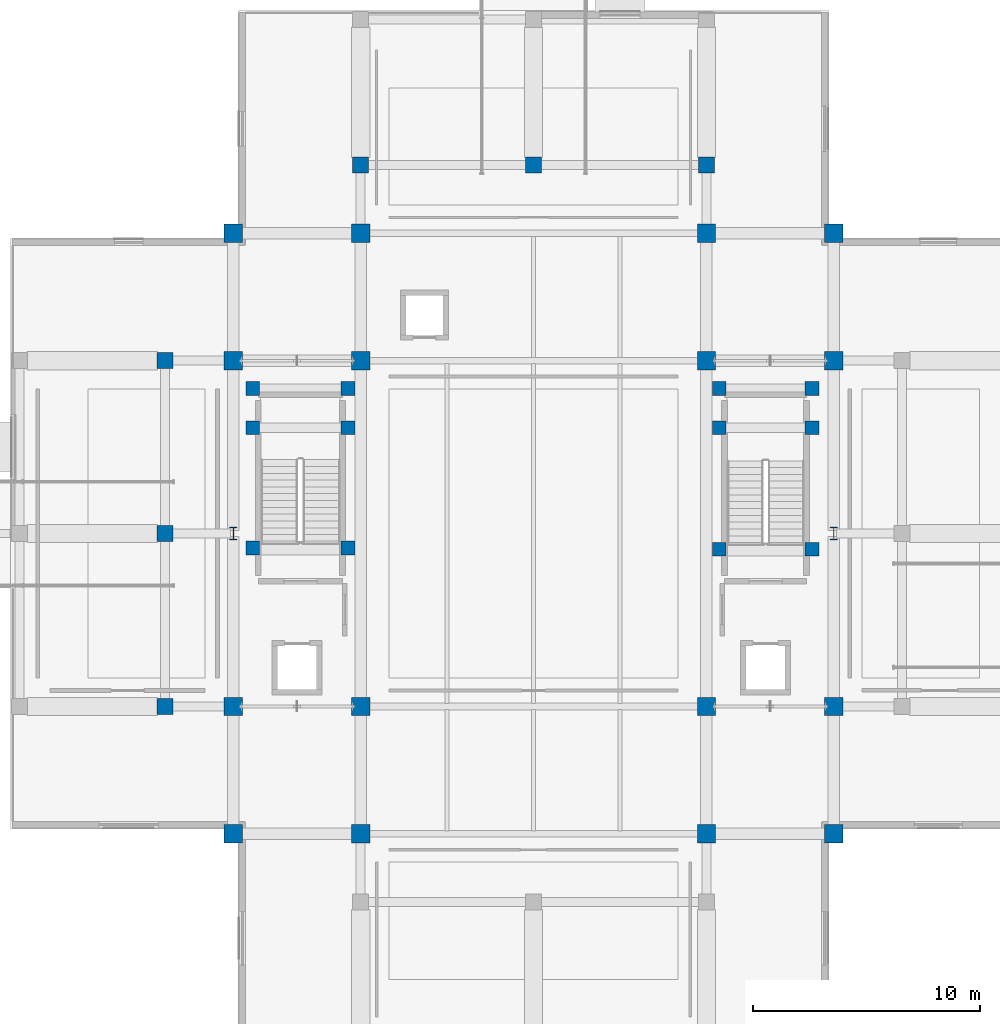
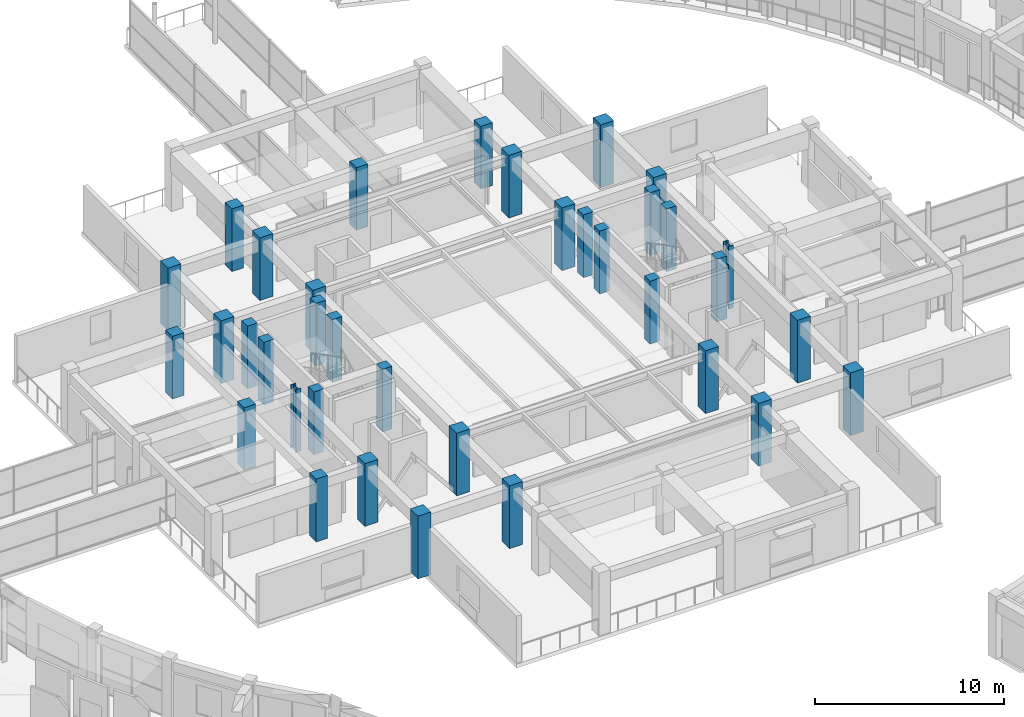
# One storey, part 4 of 70: 36 columns.
"""IFC4 building model written with IfcOpenShell, lengths in metres."""

from ifc_helpers import new_model, si_unit, direction, frame, origin, origin_2d, place, context, subcontext, project, spatial, rectangle, i_section, extrude, material, material_profile, profile_set, type_object, element, save


model = new_model("IFC4")

# Units and contexts
model_context = context("Model", 3, precision=1e-05, world=origin(), true_north=direction((0.0, 1.0)))
body_context = subcontext(model_context, "Body", "Model", "MODEL_VIEW")
ifc_project = project(units=[si_unit("LENGTHUNIT", "METRE"), si_unit("AREAUNIT", "SQUARE_METRE"), si_unit("VOLUMEUNIT", "CUBIC_METRE"), si_unit("PLANEANGLEUNIT", "RADIAN"), si_unit("MASSUNIT", "GRAM", prefix="KILO")], contexts=[model_context])

# Site, building, storey
site_placement = place(None, origin())
site = spatial("IfcSite", under=ifc_project, at=site_placement, CompositionType="ELEMENT")
building_placement = place(site_placement, origin())
building = spatial("IfcBuilding", under=site, at=building_placement, Name="Saryqyr Civic Hall", CompositionType="ELEMENT")
storey_placement = place(building_placement, frame((0.0, 0.0, 13.199951171875)))
storey = spatial("IfcBuildingStorey", under=building, at=storey_placement, Name="L03", CompositionType="ELEMENT", Elevation=13.199951171875)

# Columns
ifc_material_1 = material(Name="Steel S355", Category="steel")
ifc_material_profile_1 = material_profile(ifc_material_1, i_section(OverallWidth=0.300048828125, OverallDepth=0.550048828125, WebThickness=0.014892578125, FlangeThickness=0.029052734375, at=origin_2d()), Name="HEB 550")
ifc_profile_set_1 = profile_set([ifc_material_profile_1], Name="Steel S355")
column_type_1 = type_object("IfcColumnType", Name="STR-COL-HEB550-S355", PredefinedType="COLUMN", material=ifc_profile_set_1)
for number, where, z_axis, x_axis, name in (
    (1, (43.800048828125, 84.0, 0.0), (0.0, 0.0, 1.0), (1.0, 0.0, 0.0), "Column V1-GCOL-W-L03"),
    (2, (70.199951171875, 84.0, 0.0), (0.0, 0.0, 1.0), (1.0, 0.0, 0.0), "Column V1-GCOL-E-L03"),
):
    element("IfcColumn", number, at=place(storey_placement, frame(where, z_axis=z_axis, x_axis=x_axis)), inside=storey, type_object=column_type_1, Name=name, PredefinedType="COLUMN", context=body_context, shape_type="SweptSolid", body=[
        extrude(i_section(OverallWidth=0.300048828125, OverallDepth=0.550048828125, WebThickness=0.014892578125, FlangeThickness=0.029052734375, at=origin_2d()), origin(), (0.0, 0.0, 1.0), 4.050048828125),
    ])
ifc_material_2 = material(Name="Concrete C40/50", Category="concrete")
ifc_material_profile_2 = material_profile(ifc_material_2, rectangle(XDim=0.60009765625, YDim=0.60009765625, at=origin_2d()), Name="RC 600x600")
ifc_profile_set_2 = profile_set([ifc_material_profile_2], Name="Concrete C40/50")
column_type_2 = type_object("IfcColumnType", Name="STR-COL-RC600-C40", PredefinedType="COLUMN", material=ifc_profile_set_2)
for number, where, z_axis, x_axis, name in (
    (3, (48.840087890625, 83.364990234375, 0.0), (0.0, 0.0, 1.0), (1.0, 0.0, 0.0), "Column ST-1-SCOL-TRMA-L03"),
    (4, (44.659912109375, 83.364990234375, 0.0), (0.0, 0.0, 1.0), (1.0, 0.0, 0.0), "Column ST-1-SCOL-TRMB-L03"),
    (5, (48.840087890625, 88.64990234375, 0.0), (0.0, 0.0, 1.0), (1.0, 0.0, 0.0), "Column ST-1-SCOL-LND1A-L03"),
    (6, (44.659912109375, 88.64990234375, 0.0), (0.0, 0.0, 1.0), (1.0, 0.0, 0.0), "Column ST-1-SCOL-LND1B-L03"),
    (7, (48.840087890625, 90.3798828125, 0.0), (0.0, 0.0, 1.0), (1.0, 0.0, 0.0), "Column ST-1-SCOL-LND2A-L03"),
    (8, (44.659912109375, 90.3798828125, 0.0), (0.0, 0.0, 1.0), (1.0, 0.0, 0.0), "Column ST-1-SCOL-LND2B-L03"),
    (9, (69.239990234375, 83.31494140625, 0.0), (0.0, 0.0, 1.0), (1.0, 0.0, 0.0), "Column ST-2-SCOL-TRMA-L03"),
    (10, (65.159912109375, 83.31494140625, 0.0), (0.0, 0.0, 1.0), (1.0, 0.0, 0.0), "Column ST-2-SCOL-TRMB-L03"),
    (11, (69.239990234375, 88.64990234375, 0.0), (0.0, 0.0, 1.0), (1.0, 0.0, 0.0), "Column ST-2-SCOL-LND1A-L03"),
    (12, (65.159912109375, 88.64990234375, 0.0), (0.0, 0.0, 1.0), (1.0, 0.0, 0.0), "Column ST-2-SCOL-LND1B-L03"),
    (13, (69.239990234375, 90.3798828125, 0.0), (0.0, 0.0, 1.0), (1.0, 0.0, 0.0), "Column ST-2-SCOL-LND2A-L03"),
    (14, (65.159912109375, 90.3798828125, 0.0), (0.0, 0.0, 1.0), (1.0, 0.0, 0.0), "Column ST-2-SCOL-LND2B-L03"),
):
    element("IfcColumn", number, at=place(storey_placement, frame(where, z_axis=z_axis, x_axis=x_axis)), inside=storey, type_object=column_type_2, Name=name, PredefinedType="COLUMN", context=body_context, shape_type="SweptSolid", body=[
        extrude(rectangle(XDim=0.60009765625, YDim=0.60009765625, at=origin_2d()), origin(), (0.0, 0.0, 1.0), 4.050048828125),
    ])
ifc_material_profile_3 = material_profile(ifc_material_2, rectangle(XDim=0.699951171875, YDim=0.699951171875, at=origin_2d()), Name="RC 700x700")
ifc_profile_set_3 = profile_set([ifc_material_profile_3], Name="Concrete C40/50")
column_type_3 = type_object("IfcColumnType", Name="STR-COL-RC700-C40", PredefinedType="COLUMN", material=ifc_profile_set_3)
for number, where, z_axis, x_axis, name in (
    (15, (40.800048828125, 76.39990234375, 0.0), (0.0, 0.0, 1.0), (1.0, 0.0, 0.0), "Column V1-COL-S3P01-L03"),
    (16, (40.800048828125, 84.0, 0.0), (0.0, 0.0, 1.0), (1.0, 0.0, 0.0), "Column V1-COL-S3P02-L03"),
    (17, (40.800048828125, 91.60009765625, 0.0), (0.0, 0.0, 1.0), (1.0, 0.0, 0.0), "Column V1-COL-S3P03-L03"),
    (18, (49.39990234375, 100.199951171875, 0.0), (0.0, 0.0, 1.0), (1.0, 0.0, 0.0), "Column V1-COL-S3P10-L03"),
    (19, (57.0, 100.199951171875, 0.0), (0.0, 0.0, 1.0), (1.0, 0.0, 0.0), "Column V1-COL-S3P11-L03"),
    (20, (64.60009765625, 100.199951171875, 0.0), (0.0, 0.0, 1.0), (1.0, 0.0, 0.0), "Column V1-COL-S3P12-L03"),
):
    element("IfcColumn", number, at=place(storey_placement, frame(where, z_axis=z_axis, x_axis=x_axis)), inside=storey, type_object=column_type_3, Name=name, PredefinedType="COLUMN", context=body_context, shape_type="SweptSolid", body=[
        extrude(rectangle(XDim=0.699951171875, YDim=0.699951171875, at=origin_2d()), origin(), (0.0, 0.0, 1.0), 4.050048828125),
    ])
ifc_material_profile_4 = material_profile(ifc_material_2, rectangle(XDim=0.800048828125, YDim=0.800048828125, at=origin_2d()), Name="RC 800x800")
ifc_profile_set_4 = profile_set([ifc_material_profile_4], Name="Concrete C40/50")
column_type_4 = type_object("IfcColumnType", Name="STR-COL-RC800-C40", PredefinedType="COLUMN", material=ifc_profile_set_4)
for number, where, z_axis, x_axis, name in (
    (21, (43.800048828125, 70.800048828125, 0.0), (0.0, 0.0, 1.0), (1.0, 0.0, 0.0), "Column V1-COL-C11-L03"),
    (22, (43.800048828125, 76.39990234375, 0.0), (0.0, 0.0, 1.0), (1.0, 0.0, 0.0), "Column V1-COL-C12-L03"),
    (23, (43.800048828125, 91.60009765625, 0.0), (0.0, 0.0, 1.0), (1.0, 0.0, 0.0), "Column V1-COL-C13-L03"),
    (24, (43.800048828125, 97.199951171875, 0.0), (0.0, 0.0, 1.0), (1.0, 0.0, 0.0), "Column V1-COL-C14-L03"),
    (25, (49.39990234375, 70.800048828125, 0.0), (0.0, 0.0, 1.0), (1.0, 0.0, 0.0), "Column V1-COL-C21-L03"),
    (26, (49.39990234375, 76.39990234375, 0.0), (0.0, 0.0, 1.0), (1.0, 0.0, 0.0), "Column V1-COL-C22-L03"),
    (27, (49.39990234375, 91.60009765625, 0.0), (0.0, 0.0, 1.0), (1.0, 0.0, 0.0), "Column V1-COL-C23-L03"),
    (28, (49.39990234375, 97.199951171875, 0.0), (0.0, 0.0, 1.0), (1.0, 0.0, 0.0), "Column V1-COL-C24-L03"),
    (29, (64.60009765625, 70.800048828125, 0.0), (0.0, 0.0, 1.0), (1.0, 0.0, 0.0), "Column V1-COL-C31-L03"),
    (30, (64.60009765625, 76.39990234375, 0.0), (0.0, 0.0, 1.0), (1.0, 0.0, 0.0), "Column V1-COL-C32-L03"),
    (31, (64.60009765625, 91.60009765625, 0.0), (0.0, 0.0, 1.0), (1.0, 0.0, 0.0), "Column V1-COL-C33-L03"),
    (32, (64.60009765625, 97.199951171875, 0.0), (0.0, 0.0, 1.0), (1.0, 0.0, 0.0), "Column V1-COL-C34-L03"),
    (33, (70.199951171875, 70.800048828125, 0.0), (0.0, 0.0, 1.0), (1.0, 0.0, 0.0), "Column V1-COL-C41-L03"),
    (34, (70.199951171875, 76.39990234375, 0.0), (0.0, 0.0, 1.0), (1.0, 0.0, 0.0), "Column V1-COL-C42-L03"),
    (35, (70.199951171875, 91.60009765625, 0.0), (0.0, 0.0, 1.0), (1.0, 0.0, 0.0), "Column V1-COL-C43-L03"),
    (36, (70.199951171875, 97.199951171875, 0.0), (0.0, 0.0, 1.0), (1.0, 0.0, 0.0), "Column V1-COL-C44-L03"),
):
    element("IfcColumn", number, at=place(storey_placement, frame(where, z_axis=z_axis, x_axis=x_axis)), inside=storey, type_object=column_type_4, Name=name, PredefinedType="COLUMN", context=body_context, shape_type="SweptSolid", body=[
        extrude(rectangle(XDim=0.800048828125, YDim=0.800048828125, at=origin_2d()), origin(), (0.0, 0.0, 1.0), 4.050048828125),
    ])

save(model, "model.ifc")
